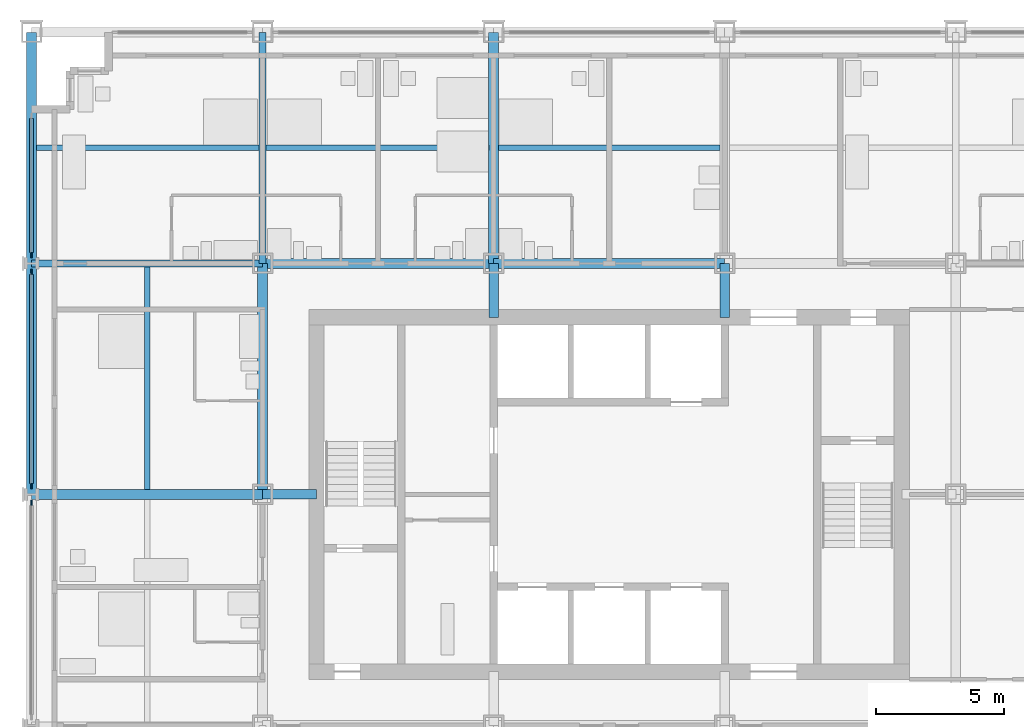
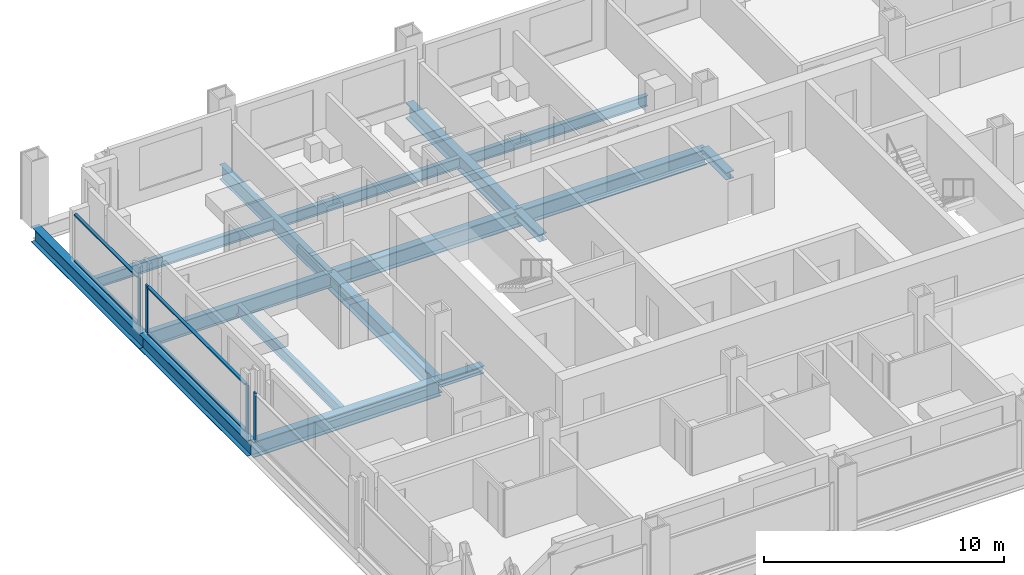
# One storey, part 4 of 18: 13 beams, 11 members, 3 elements without a shape of their own.
"""IFC4 building model written with IfcOpenShell, lengths in metres."""

from ifc_helpers import new_model, si_unit, direction, frame, origin, origin_2d, place, context, subcontext, project, spatial, rectangle, i_section, extrude, material, material_profile, profile_set, type_object, element, aggregate, save


model = new_model("IFC4")

# Units and contexts
model_context = context("Model", 3, precision=1e-05, world=origin(), true_north=direction((0.0, 1.0)))
body_context = subcontext(model_context, "Body", "Model", "MODEL_VIEW")
ifc_project = project(units=[si_unit("LENGTHUNIT", "METRE"), si_unit("AREAUNIT", "SQUARE_METRE"), si_unit("VOLUMEUNIT", "CUBIC_METRE"), si_unit("PLANEANGLEUNIT", "RADIAN"), si_unit("MASSUNIT", "GRAM", prefix="KILO")], contexts=[model_context])

# Site, building, storey
site_placement = place(None, origin())
site = spatial("IfcSite", under=ifc_project, at=site_placement, CompositionType="ELEMENT")
building_placement = place(site_placement, origin())
building = spatial("IfcBuilding", under=site, at=building_placement, Name="Loomwork Tower", CompositionType="ELEMENT")
storey_placement = place(building_placement, frame((0.0, 0.0, 68.800048828125)))
storey = spatial("IfcBuildingStorey", under=building, at=storey_placement, Name="L17", CompositionType="ELEMENT", Elevation=68.800048828125)

# Beams
ifc_material_1 = material(Name="Steel ASTM A992", Category="steel")
ifc_material_profile_1 = material_profile(ifc_material_1, i_section(OverallWidth=0.383544921875, OverallDepth=0.794921875, WebThickness=0.02099609375, FlangeThickness=0.0380859375, at=origin_2d()), Name="W30x235")
ifc_profile_set_1 = profile_set([ifc_material_profile_1], Name="Steel ASTM A992")
beam_type_1 = type_object("IfcBeamType", Name="CORE FLANK GIRDER W30x235", PredefinedType="BEAM", material=ifc_profile_set_1)
for number, where, z_axis, x_axis, name in (
    (1, (0.0, 18.0, -0.59765625), (1.0, 0.0, 0.0), (0.0, 1.0, 0.0), "Core Flank Girder F/2-F/3 L17"),
    (2, (9.0, 27.0, -0.59765625), (1.0, 0.0, 0.0), (0.0, 1.0, 0.0), "Core Flank Girder G/3-G/4 L17"),
    (3, (18.0, 27.0, -0.59765625), (1.0, 0.0, 0.0), (0.0, 1.0, 0.0), "Core Flank Girder G/4-G/5 L17"),
    (4, (9.0, 18.0, -0.59765625), (0.0, 1.0, 0.0), (-1.0, 0.0, 0.0), "Core Flank Girder F/3-G/3 L17"),
    (5, (18.0, 27.0, -0.59765625), (0.0, 1.0, 0.0), (-1.0, 0.0, 0.0), "Core Flank Girder G/4-H/4 L17"),
):
    element("IfcBeam", number, at=place(storey_placement, frame(where, z_axis=z_axis, x_axis=x_axis)), inside=storey, type_object=beam_type_1, Name=name, PredefinedType="BEAM", context=body_context, shape_type="SweptSolid", body=[
        extrude(i_section(OverallWidth=0.383544921875, OverallDepth=0.794921875, WebThickness=0.02099609375, FlangeThickness=0.0380859375, at=origin_2d()), origin(), (0.0, 0.0, 1.0), 9.0),
    ])

# Members
ifc_material_2 = material(Name="Steel ASTM A992", Category="steel")
ifc_material_profile_2 = material_profile(ifc_material_2, i_section(OverallWidth=0.373291015625, OverallDepth=0.373291015625, WebThickness=0.016357421875, FlangeThickness=0.026123046875, at=origin_2d()), Name="W14x132")
ifc_profile_set_2 = profile_set([ifc_material_profile_2], Name="Steel ASTM A992")
member_type_1 = type_object("IfcMemberType", Name="CORE LINK STRUT W14x132", PredefinedType="STRUT", material=ifc_profile_set_2)
for number, where, z_axis, x_axis, name in (
    (6, (27.0, 27.0, -0.38671875), (0.0, -1.0, 0.0), (1.0, 0.0, 0.0), "Core link strut G/5-27.000,24.900 L17"),
    (7, (18.0, 27.0, -0.38671875), (0.0, -1.0, 0.0), (1.0, 0.0, 0.0), "Core link strut G/4-18.000,24.900 L17"),
    (8, (9.0, 18.0, -0.38671875), (1.0, 0.0, 0.0), (0.0, 1.0, 0.0), "Core link strut F/3-11.100,18.000 L17"),
):
    element("IfcMember", number, at=place(storey_placement, frame(where, z_axis=z_axis, x_axis=x_axis)), inside=storey, type_object=member_type_1, Name=name, PredefinedType="STRUT", context=body_context, shape_type="SweptSolid", body=[
        extrude(i_section(OverallWidth=0.373291015625, OverallDepth=0.373291015625, WebThickness=0.016357421875, FlangeThickness=0.026123046875, at=origin_2d()), origin(), (0.0, 0.0, 1.0), 2.10009765625),
    ])

# Beams
ifc_material_3 = material(Name="Steel ASTM A992", Category="steel")
ifc_material_profile_3 = material_profile(ifc_material_3, i_section(OverallWidth=0.2666015625, OverallDepth=0.761962890625, WebThickness=0.014404296875, FlangeThickness=0.021484375, at=origin_2d()), Name="W30x116")
ifc_profile_set_3 = profile_set([ifc_material_profile_3], Name="Steel ASTM A992")
beam_type_2 = type_object("IfcBeamType", Name="FLOOR GIRDER W30x116", PredefinedType="BEAM", material=ifc_profile_set_3)
for number, where, z_axis, x_axis, name in (
    (9, (0.0, 27.0, -0.5810546875), (1.0, 0.0, 0.0), (0.0, 1.0, 0.0), "Floor Girder G/2-G/3 L17"),
    (10, (9.0, 27.0, -0.5810546875), (0.0, 1.0, 0.0), (-1.0, 0.0, 0.0), "Floor Girder G/3-H/3 L17"),
):
    element("IfcBeam", number, at=place(storey_placement, frame(where, z_axis=z_axis, x_axis=x_axis)), inside=storey, type_object=beam_type_2, Name=name, PredefinedType="BEAM", context=body_context, shape_type="SweptSolid", body=[
        extrude(i_section(OverallWidth=0.2666015625, OverallDepth=0.761962890625, WebThickness=0.014404296875, FlangeThickness=0.021484375, at=origin_2d()), origin(), (0.0, 0.0, 1.0), 9.0),
    ])
ifc_material_4 = material(Name="Steel ASTM A992", Category="steel")
ifc_material_profile_4 = material_profile(ifc_material_4, i_section(OverallWidth=0.2109375, OverallDepth=0.53857421875, WebThickness=0.011474609375, FlangeThickness=0.018798828125, at=origin_2d()), Name="W21x73")
ifc_profile_set_4 = profile_set([ifc_material_profile_4], Name="Steel ASTM A992")
beam_type_3 = type_object("IfcBeamType", Name="FLOOR JOIST W21x73", PredefinedType="JOIST", material=ifc_profile_set_4)
beam_1_placement = place(storey_placement, frame((4.5, 18.19091796875, -0.46923828125), z_axis=(0.0, 1.0, 0.0), x_axis=(-1.0, 0.0, 0.0)))
element("IfcBeam", 11, at=beam_1_placement, inside=storey, type_object=beam_type_3, Name="Floor Joist 4.500,18.000-4.500,27.000 L17", PredefinedType="JOIST", context=body_context, shape_type="SweptSolid", body=[
    extrude(i_section(OverallWidth=0.2109375, OverallDepth=0.53857421875, WebThickness=0.011474609375, FlangeThickness=0.018798828125, at=origin_2d()), origin(), (0.0, 0.0, 1.0), 8.676025390625),
])
beam_2_placement = place(storey_placement, frame((0.18994140625, 31.5, -0.46923828125), z_axis=(1.0, 0.0, 0.0), x_axis=(0.0, 1.0, 0.0)))
element("IfcBeam", 12, at=beam_2_placement, inside=storey, type_object=beam_type_3, Name="Floor Joist 0.000,31.500-9.000,31.500 L17", PredefinedType="JOIST", context=body_context, shape_type="SweptSolid", body=[
    extrude(i_section(OverallWidth=0.2109375, OverallDepth=0.53857421875, WebThickness=0.011474609375, FlangeThickness=0.018798828125, at=origin_2d()), origin(), (0.0, 0.0, 1.0), 8.677001953125),
])
beam_3_placement = place(storey_placement, frame((9.133056640625, 31.5, -0.46923828125), z_axis=(1.0, 0.0, 0.0), x_axis=(0.0, 1.0, 0.0)))
element("IfcBeam", 13, at=beam_3_placement, inside=storey, type_object=beam_type_3, Name="Floor Joist 9.000,31.500-18.000,31.500 L17", PredefinedType="JOIST", context=body_context, shape_type="SweptSolid", body=[
    extrude(i_section(OverallWidth=0.2109375, OverallDepth=0.53857421875, WebThickness=0.011474609375, FlangeThickness=0.018798828125, at=origin_2d()), origin(), (0.0, 0.0, 1.0), 8.676025390625),
])
beam_4_placement = place(storey_placement, frame((18.19091796875, 31.5, -0.46923828125), z_axis=(1.0, 0.0, 0.0), x_axis=(0.0, 1.0, 0.0)))
element("IfcBeam", 14, at=beam_4_placement, inside=storey, type_object=beam_type_3, Name="Floor Joist 18.000,31.500-27.000,31.500 L17", PredefinedType="JOIST", context=body_context, shape_type="SweptSolid", body=[
    extrude(i_section(OverallWidth=0.2109375, OverallDepth=0.53857421875, WebThickness=0.011474609375, FlangeThickness=0.018798828125, at=origin_2d()), origin(), (0.0, 0.0, 1.0), 8.6181640625),
])

# Curtain wall, member
ifc_material_5 = material(Name="Aluminium curtain wall frame", Category="aluminium")
curtain_wall_type = type_object("IfcCurtainWallType", Name="Outer skin glazing hotel", PredefinedType="NOTDEFINED", material=ifc_material_5)
curtain_wall_1_placement = place(storey_placement, origin())
curtain_wall_1 = element("IfcCurtainWall", 15, at=curtain_wall_1_placement, inside=storey, type_object=curtain_wall_type, Name="Outer skin glazing hotel cw/W-9", PredefinedType="NOTDEFINED")
ifc_material_6 = material(Name="Aluminium curtain wall frame", Category="aluminium")
ifc_material_profile_5 = material_profile(ifc_material_6, rectangle(XDim=0.06494140625, YDim=0.199951171875, at=origin_2d()), Name="AL 65x200")
ifc_profile_set_5 = profile_set([ifc_material_profile_5], Name="Aluminium curtain wall frame")
member_type_2 = type_object("IfcMemberType", Name="Outer skin glazing hotel mullion", PredefinedType="MULLION", material=ifc_profile_set_5)
member_1_placement = place(storey_placement, frame((0.0, 17.672607421875, 0.0), z_axis=(0.0, 0.0, 1.0), x_axis=(1.0, 0.0, 0.0)))
member_1 = element("IfcMember", 16, at=member_1_placement, type_object=member_type_2, Name="CW1 mullion 1", PredefinedType="MULLION", context=body_context, shape_type="SweptSolid", body=[
    extrude(rectangle(XDim=0.06494140625, YDim=0.199951171875, at=origin_2d()), origin(), (0.0, 0.0, 1.0), 2.420166015625),
])
aggregate(curtain_wall_1, [member_1])

# Curtain wall, members
curtain_wall_2_placement = place(storey_placement, origin())
curtain_wall_2 = element("IfcCurtainWall", 17, at=curtain_wall_2_placement, inside=storey, type_object=curtain_wall_type, Name="Outer skin glazing hotel cw/W-18", PredefinedType="NOTDEFINED")
member_2_placement = place(storey_placement, frame((0.0, 26.672607421875, 0.0), z_axis=(0.0, 0.0, 1.0), x_axis=(1.0, 0.0, 0.0)))
member_2 = element("IfcMember", 18, at=member_2_placement, type_object=member_type_2, Name="CW1 mullion 1", PredefinedType="MULLION", context=body_context, shape_type="SweptSolid", body=[
    extrude(rectangle(XDim=0.06494140625, YDim=0.199951171875, at=origin_2d()), origin(), (0.0, 0.0, 1.0), 2.420166015625),
])
member_3_placement = place(storey_placement, frame((0.0, 18.327392578125, 0.0), z_axis=(0.0, 0.0, 1.0), x_axis=(1.0, 0.0, 0.0)))
member_3 = element("IfcMember", 19, at=member_3_placement, type_object=member_type_2, Name="CW1 mullion 2", PredefinedType="MULLION", context=body_context, shape_type="SweptSolid", body=[
    extrude(rectangle(XDim=0.06494140625, YDim=0.199951171875, at=origin_2d()), origin(), (0.0, 0.0, 1.0), 2.420166015625),
])

# Curtain wall, member
curtain_wall_3_placement = place(storey_placement, origin())
curtain_wall_3 = element("IfcCurtainWall", 20, at=curtain_wall_3_placement, inside=storey, type_object=curtain_wall_type, Name="Outer skin glazing hotel cw/W-27", PredefinedType="NOTDEFINED")
member_4_placement = place(storey_placement, frame((0.0, 27.327392578125, 0.0), z_axis=(0.0, 0.0, 1.0), x_axis=(1.0, 0.0, 0.0)))
member_4 = element("IfcMember", 21, at=member_4_placement, type_object=member_type_2, Name="CW1 mullion 2", PredefinedType="MULLION", context=body_context, shape_type="SweptSolid", body=[
    extrude(rectangle(XDim=0.06494140625, YDim=0.199951171875, at=origin_2d()), origin(), (0.0, 0.0, 1.0), 2.420166015625),
])

# Member
ifc_material_7 = material(Name="Aluminium curtain wall frame", Category="aluminium")
ifc_material_profile_6 = material_profile(ifc_material_7, rectangle(XDim=0.14990234375, YDim=0.06494140625, at=origin_2d()), Name="AL 65x150")
ifc_profile_set_6 = profile_set([ifc_material_profile_6], Name="Aluminium curtain wall frame")
member_type_3 = type_object("IfcMemberType", Name="Outer skin glazing hotel transom", PredefinedType="USERDEFINED", material=ifc_profile_set_6)
member_5_placement = place(storey_placement, frame((0.0, 26.57275390625, 0.032470703125), z_axis=(0.0, -1.0, 0.0), x_axis=(1.0, 0.0, 0.0)))
member_5 = element("IfcMember", 22, at=member_5_placement, type_object=member_type_3, Name="CW1 transom 1.1", ObjectType="TRANSOM", PredefinedType="USERDEFINED", context=body_context, shape_type="SweptSolid", body=[
    extrude(rectangle(XDim=0.14990234375, YDim=0.06494140625, at=origin_2d()), origin(), (0.0, 0.0, 1.0), 8.1455078125),
])

member_6_placement = place(storey_placement, frame((0.0, 26.57275390625, 2.3876953125), z_axis=(0.0, -1.0, 0.0), x_axis=(1.0, 0.0, 0.0)))
member_6 = element("IfcMember", 23, at=member_6_placement, type_object=member_type_3, Name="CW1 transom 1.2", ObjectType="TRANSOM", PredefinedType="USERDEFINED", context=body_context, shape_type="SweptSolid", body=[
    extrude(rectangle(XDim=0.14990234375, YDim=0.06494140625, at=origin_2d()), origin(), (0.0, 0.0, 1.0), 8.1455078125),
])

aggregate(curtain_wall_2, [member_2, member_3, member_5, member_6])

member_7_placement = place(storey_placement, frame((0.0, 32.64990234375, 0.032470703125), z_axis=(0.0, -1.0, 0.0), x_axis=(1.0, 0.0, 0.0)))
member_7 = element("IfcMember", 24, at=member_7_placement, type_object=member_type_3, Name="CW1 transom 1.1", ObjectType="TRANSOM", PredefinedType="USERDEFINED", context=body_context, shape_type="SweptSolid", body=[
    extrude(rectangle(XDim=0.14990234375, YDim=0.06494140625, at=origin_2d()), origin(), (0.0, 0.0, 1.0), 5.22265625),
])

member_8_placement = place(storey_placement, frame((0.0, 32.64990234375, 2.3876953125), z_axis=(0.0, -1.0, 0.0), x_axis=(1.0, 0.0, 0.0)))
member_8 = element("IfcMember", 25, at=member_8_placement, type_object=member_type_3, Name="CW1 transom 1.2", ObjectType="TRANSOM", PredefinedType="USERDEFINED", context=body_context, shape_type="SweptSolid", body=[
    extrude(rectangle(XDim=0.14990234375, YDim=0.06494140625, at=origin_2d()), origin(), (0.0, 0.0, 1.0), 5.22265625),
])

aggregate(curtain_wall_3, [member_4, member_7, member_8])

# Beams
ifc_material_8 = material(Name="Steel ASTM A992", Category="steel")
ifc_material_profile_7 = material_profile(ifc_material_8, i_section(OverallWidth=0.381103515625, OverallDepth=0.77978515625, WebThickness=0.01806640625, FlangeThickness=0.0302734375, at=origin_2d()), Name="W30x191")
ifc_profile_set_7 = profile_set([ifc_material_profile_7], Name="Steel ASTM A992")
beam_type_4 = type_object("IfcBeamType", Name="SPANDREL GIRDER W30x191", PredefinedType="SPANDREL", material=ifc_profile_set_7)
for number, where, z_axis, x_axis, name in (
    (26, (0.0, 18.0, -0.58984375), (0.0, 1.0, 0.0), (-1.0, 0.0, 0.0), "Spandrel Girder F/2-G/2 L17"),
    (27, (0.0, 27.0, -0.58984375), (0.0, 1.0, 0.0), (-1.0, 0.0, 0.0), "Spandrel Girder G/2-H/2 L17"),
):
    element("IfcBeam", number, at=place(storey_placement, frame(where, z_axis=z_axis, x_axis=x_axis)), inside=storey, type_object=beam_type_4, Name=name, PredefinedType="SPANDREL", context=body_context, shape_type="SweptSolid", body=[
        extrude(i_section(OverallWidth=0.381103515625, OverallDepth=0.77978515625, WebThickness=0.01806640625, FlangeThickness=0.0302734375, at=origin_2d()), origin(), (0.0, 0.0, 1.0), 9.0),
    ])

save(model, "model.ifc")
